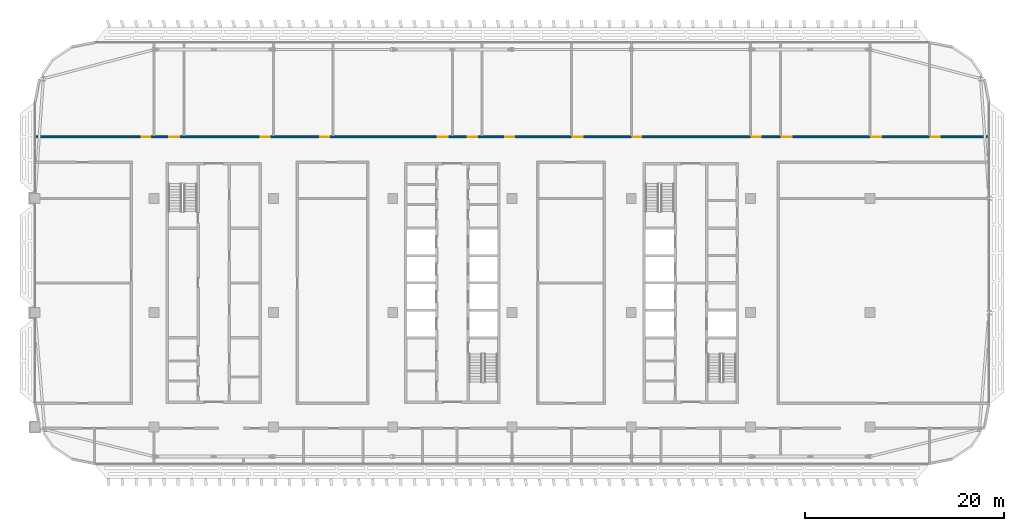
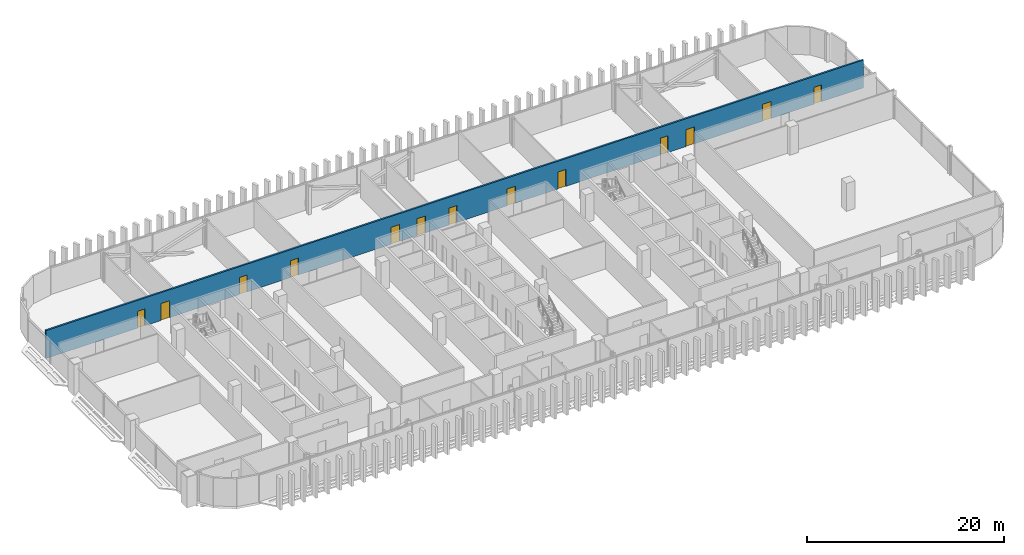
# One storey, part 20 of 34: 13 doors, 1 wall, 13 openings.
"""IFC4 building model written with IfcOpenShell, lengths in metres."""

from ifc_helpers import new_model, si_unit, direction, frame, frame_2d, origin, place, context, subcontext, project, spatial, rectangle, extrude, material, layer, layer_set, type_object, element, fill, save


model = new_model("IFC4")

# Units and contexts
model_context = context("Model", 3, precision=1e-05, world=origin(), true_north=direction((0.0, 1.0)))
body_context = subcontext(model_context, "Body", "Model", "MODEL_VIEW")
ifc_project = project(units=[si_unit("LENGTHUNIT", "METRE"), si_unit("AREAUNIT", "SQUARE_METRE"), si_unit("VOLUMEUNIT", "CUBIC_METRE"), si_unit("PLANEANGLEUNIT", "RADIAN"), si_unit("MASSUNIT", "GRAM", prefix="KILO")], contexts=[model_context])

# Site, building, storey
site_placement = place(None, origin())
site = spatial("IfcSite", under=ifc_project, at=site_placement, CompositionType="ELEMENT")
building_placement = place(site_placement, origin())
building = spatial("IfcBuilding", under=site, at=building_placement, Name="Mahtab Terrace Research Tower", CompositionType="ELEMENT")
storey_placement = place(building_placement, frame((0.0, 0.0, 247.60009765625)))
storey = spatial("IfcBuildingStorey", under=building, at=storey_placement, Name="L60", CompositionType="ELEMENT", Elevation=247.60009765625)

# Wall, openings, doors
ifc_material_1 = material(Name="Gypsum board corridor wall on steel studs", Category="steel")
ifc_layer = layer(ifc_material_1, 0.199951171875)
ifc_layer_set = layer_set([ifc_layer], Name="WALL CORRIDOR 200")
wall_type = type_object("IfcWallType", Name="WALL CORRIDOR 200", PredefinedType="PARTITIONING", material=ifc_layer_set)
wall_placement = place(storey_placement, frame((-41.97509765625, 17.699951171875, 0.0), z_axis=(0.0, 0.0, 1.0), x_axis=(1.0, 0.0, 0.0)))
wall = element("IfcWall", 1, at=wall_placement, inside=storey, type_object=wall_type, Name="L60-W025", PredefinedType="PARTITIONING", context=body_context, shape_type="SweptSolid", body=[
    extrude(rectangle(XDim=95.9501953125, YDim=0.199951171875, at=frame_2d((47.97509765625, 0.0))), origin(), (0.0, 0.0, 1.0), 3.4599609375),
])
opening_1_placement = place(wall_placement, frame((10.699951171875, 0.0, 0.0)))
opening_1 = element("IfcOpeningElement", 2, at=opening_1_placement, cuts=wall, Name="Opening L60-127", PredefinedType="OPENING", context=body_context, shape_type="SweptSolid", body=[
    extrude(rectangle(XDim=0.89990234375, YDim=2.10009765625, at=frame_2d((0.449951171875, 1.050048828125))), frame((0.0, 0.10986328125, 0.0), z_axis=(0.0, -1.0, 0.0), x_axis=(1.0, 0.0, 0.0)), (0.0, 0.0, 1.0), 0.219970703125),
])
opening_2_placement = place(wall_placement, frame((13.5, 0.0, 0.0)))
opening_2 = element("IfcOpeningElement", 3, at=opening_2_placement, cuts=wall, Name="Opening L60-128", PredefinedType="OPENING", context=body_context, shape_type="SweptSolid", body=[
    extrude(rectangle(XDim=1.0, YDim=2.10009765625, at=frame_2d((0.5, 1.050048828125))), frame((0.0, 0.10986328125, 0.0), z_axis=(0.0, -1.0, 0.0), x_axis=(1.0, 0.0, 0.0)), (0.0, 0.0, 1.0), 0.219970703125),
])
opening_3_placement = place(wall_placement, frame((22.699951171875, 0.0, 0.0)))
opening_3 = element("IfcOpeningElement", 4, at=opening_3_placement, cuts=wall, Name="Opening L60-129", PredefinedType="OPENING", context=body_context, shape_type="SweptSolid", body=[
    extrude(rectangle(XDim=0.89990234375, YDim=2.10009765625, at=frame_2d((0.449951171875, 1.050048828125))), frame((0.0, 0.10986328125, 0.0), z_axis=(0.0, -1.0, 0.0), x_axis=(1.0, 0.0, 0.0)), (0.0, 0.0, 1.0), 0.219970703125),
])
opening_4_placement = place(wall_placement, frame((28.699951171875, 0.0, 0.0)))
opening_4 = element("IfcOpeningElement", 5, at=opening_4_placement, cuts=wall, Name="Opening L60-130", PredefinedType="OPENING", context=body_context, shape_type="SweptSolid", body=[
    extrude(rectangle(XDim=0.89990234375, YDim=2.10009765625, at=frame_2d((0.449951171875, 1.050048828125))), frame((0.0, 0.10986328125, 0.0), z_axis=(0.0, -1.0, 0.0), x_axis=(1.0, 0.0, 0.0)), (0.0, 0.0, 1.0), 0.219970703125),
])
opening_5_placement = place(wall_placement, frame((40.5, 0.0, 0.0)))
opening_5 = element("IfcOpeningElement", 6, at=opening_5_placement, cuts=wall, Name="Opening L60-131", PredefinedType="OPENING", context=body_context, shape_type="SweptSolid", body=[
    extrude(rectangle(XDim=1.0, YDim=2.10009765625, at=frame_2d((0.5, 1.050048828125))), frame((0.0, 0.10986328125, 0.0), z_axis=(0.0, -1.0, 0.0), x_axis=(1.0, 0.0, 0.0)), (0.0, 0.0, 1.0), 0.219970703125),
])
opening_6_placement = place(wall_placement, frame((43.5, 0.0, 0.0)))
opening_6 = element("IfcOpeningElement", 7, at=opening_6_placement, cuts=wall, Name="Opening L60-132", PredefinedType="OPENING", context=body_context, shape_type="SweptSolid", body=[
    extrude(rectangle(XDim=1.0, YDim=2.10009765625, at=frame_2d((0.5, 1.050048828125))), frame((0.0, 0.10986328125, 0.0), z_axis=(0.0, -1.0, 0.0), x_axis=(1.0, 0.0, 0.0)), (0.0, 0.0, 1.0), 0.219970703125),
])
opening_7_placement = place(wall_placement, frame((47.300048828125, 0.0, 0.0)))
opening_7 = element("IfcOpeningElement", 8, at=opening_7_placement, cuts=wall, Name="Opening L60-133", PredefinedType="OPENING", context=body_context, shape_type="SweptSolid", body=[
    extrude(rectangle(XDim=0.89990234375, YDim=2.10009765625, at=frame_2d((0.449951171875, 1.050048828125))), frame((0.0, 0.10986328125, 0.0), z_axis=(0.0, -1.0, 0.0), x_axis=(1.0, 0.0, 0.0)), (0.0, 0.0, 1.0), 0.219970703125),
])
opening_8_placement = place(wall_placement, frame((54.10009765625, 0.0, 0.0)))
opening_8 = element("IfcOpeningElement", 9, at=opening_8_placement, cuts=wall, Name="Opening L60-134", PredefinedType="OPENING", context=body_context, shape_type="SweptSolid", body=[
    extrude(rectangle(XDim=1.0, YDim=2.10009765625, at=frame_2d((0.5, 1.050048828125))), frame((0.0, 0.10986328125, 0.0), z_axis=(0.0, -1.0, 0.0), x_axis=(1.0, 0.0, 0.0)), (0.0, 0.0, 1.0), 0.219970703125),
])
opening_9_placement = place(wall_placement, frame((60.10009765625, 0.0, 0.0)))
opening_9 = element("IfcOpeningElement", 10, at=opening_9_placement, cuts=wall, Name="Opening L60-135", PredefinedType="OPENING", context=body_context, shape_type="SweptSolid", body=[
    extrude(rectangle(XDim=0.89990234375, YDim=2.10009765625, at=frame_2d((0.449951171875, 1.050048828125))), frame((0.0, 0.10986328125, 0.0), z_axis=(0.0, -1.0, 0.0), x_axis=(1.0, 0.0, 0.0)), (0.0, 0.0, 1.0), 0.219970703125),
])
opening_10_placement = place(wall_placement, frame((72.10009765625, 0.0, 0.0)))
opening_10 = element("IfcOpeningElement", 11, at=opening_10_placement, cuts=wall, Name="Opening L60-136", PredefinedType="OPENING", context=body_context, shape_type="SweptSolid", body=[
    extrude(rectangle(XDim=0.89990234375, YDim=2.10009765625, at=frame_2d((0.449951171875, 1.050048828125))), frame((0.0, 0.10986328125, 0.0), z_axis=(0.0, -1.0, 0.0), x_axis=(1.0, 0.0, 0.0)), (0.0, 0.0, 1.0), 0.219970703125),
])
opening_11_placement = place(wall_placement, frame((75.10009765625, 0.0, 0.0)))
opening_11 = element("IfcOpeningElement", 12, at=opening_11_placement, cuts=wall, Name="Opening L60-137", PredefinedType="OPENING", context=body_context, shape_type="SweptSolid", body=[
    extrude(rectangle(XDim=1.0, YDim=2.10009765625, at=frame_2d((0.5, 1.050048828125))), frame((0.0, 0.10986328125, 0.0), z_axis=(0.0, -1.0, 0.0), x_axis=(1.0, 0.0, 0.0)), (0.0, 0.0, 1.0), 0.219970703125),
])
opening_12_placement = place(wall_placement, frame((84.10009765625, 0.0, 0.0)))
opening_12 = element("IfcOpeningElement", 13, at=opening_12_placement, cuts=wall, Name="Opening L60-138", PredefinedType="OPENING", context=body_context, shape_type="SweptSolid", body=[
    extrude(rectangle(XDim=1.0, YDim=2.10009765625, at=frame_2d((0.5, 1.050048828125))), frame((0.0, 0.10986328125, 0.0), z_axis=(0.0, -1.0, 0.0), x_axis=(1.0, 0.0, 0.0)), (0.0, 0.0, 1.0), 0.219970703125),
])
opening_13_placement = place(wall_placement, frame((90.10009765625, 0.0, 0.0)))
opening_13 = element("IfcOpeningElement", 14, at=opening_13_placement, cuts=wall, Name="Opening L60-139", PredefinedType="OPENING", context=body_context, shape_type="SweptSolid", body=[
    extrude(rectangle(XDim=0.89990234375, YDim=2.10009765625, at=frame_2d((0.449951171875, 1.050048828125))), frame((0.0, 0.10986328125, 0.0), z_axis=(0.0, -1.0, 0.0), x_axis=(1.0, 0.0, 0.0)), (0.0, 0.0, 1.0), 0.219970703125),
])
ifc_material_2 = material(Name="Timber door leaf in steel frame", Category="steel")
door_type_1 = type_object("IfcDoorType", Name="DOOR 0900X2100 FD30S", OperationType="SINGLE_SWING_LEFT", PredefinedType="DOOR", material=ifc_material_2)
door_1_placement = place(opening_1_placement, origin())
door_1 = element("IfcDoor", 15, at=door_1_placement, inside=storey, type_object=door_type_1, Name="Door L60-127", OperationType="SINGLE_SWING_LEFT", OverallHeight=2.10009765625, OverallWidth=0.89990234375, PredefinedType="DOOR", context=body_context, shape_type="SweptSolid", body=[
    extrude(rectangle(XDim=0.89990234375, YDim=2.10009765625, at=frame_2d((0.449951171875, 1.050048828125))), frame((0.0, 0.02490234375, 0.0), z_axis=(0.0, -1.0, 0.0), x_axis=(1.0, 0.0, 0.0)), (0.0, 0.0, 1.0), 0.050048828125),
])
fill(opening_1, door_1)
door_2_placement = place(opening_3_placement, origin())
door_2 = element("IfcDoor", 16, at=door_2_placement, inside=storey, type_object=door_type_1, Name="Door L60-129", OperationType="SINGLE_SWING_LEFT", OverallHeight=2.10009765625, OverallWidth=0.89990234375, PredefinedType="DOOR", context=body_context, shape_type="SweptSolid", body=[
    extrude(rectangle(XDim=0.89990234375, YDim=2.10009765625, at=frame_2d((0.449951171875, 1.050048828125))), frame((0.0, 0.02490234375, 0.0), z_axis=(0.0, -1.0, 0.0), x_axis=(1.0, 0.0, 0.0)), (0.0, 0.0, 1.0), 0.050048828125),
])
fill(opening_3, door_2)
door_3_placement = place(opening_4_placement, origin())
door_3 = element("IfcDoor", 17, at=door_3_placement, inside=storey, type_object=door_type_1, Name="Door L60-130", OperationType="SINGLE_SWING_LEFT", OverallHeight=2.10009765625, OverallWidth=0.89990234375, PredefinedType="DOOR", context=body_context, shape_type="SweptSolid", body=[
    extrude(rectangle(XDim=0.89990234375, YDim=2.10009765625, at=frame_2d((0.449951171875, 1.050048828125))), frame((0.0, 0.02490234375, 0.0), z_axis=(0.0, -1.0, 0.0), x_axis=(1.0, 0.0, 0.0)), (0.0, 0.0, 1.0), 0.050048828125),
])
fill(opening_4, door_3)
door_4_placement = place(opening_7_placement, origin())
door_4 = element("IfcDoor", 18, at=door_4_placement, inside=storey, type_object=door_type_1, Name="Door L60-133", OperationType="SINGLE_SWING_LEFT", OverallHeight=2.10009765625, OverallWidth=0.89990234375, PredefinedType="DOOR", context=body_context, shape_type="SweptSolid", body=[
    extrude(rectangle(XDim=0.89990234375, YDim=2.10009765625, at=frame_2d((0.449951171875, 1.050048828125))), frame((0.0, 0.02490234375, 0.0), z_axis=(0.0, -1.0, 0.0), x_axis=(1.0, 0.0, 0.0)), (0.0, 0.0, 1.0), 0.050048828125),
])
fill(opening_7, door_4)
door_5_placement = place(opening_9_placement, origin())
door_5 = element("IfcDoor", 19, at=door_5_placement, inside=storey, type_object=door_type_1, Name="Door L60-135", OperationType="SINGLE_SWING_RIGHT", OverallHeight=2.10009765625, OverallWidth=0.89990234375, PredefinedType="DOOR", context=body_context, shape_type="SweptSolid", body=[
    extrude(rectangle(XDim=0.89990234375, YDim=2.10009765625, at=frame_2d((0.449951171875, 1.050048828125))), frame((0.0, 0.02490234375, 0.0), z_axis=(0.0, -1.0, 0.0), x_axis=(1.0, 0.0, 0.0)), (0.0, 0.0, 1.0), 0.050048828125),
])
fill(opening_9, door_5)
door_6_placement = place(opening_10_placement, origin())
door_6 = element("IfcDoor", 20, at=door_6_placement, inside=storey, type_object=door_type_1, Name="Door L60-136", OperationType="SINGLE_SWING_RIGHT", OverallHeight=2.10009765625, OverallWidth=0.89990234375, PredefinedType="DOOR", context=body_context, shape_type="SweptSolid", body=[
    extrude(rectangle(XDim=0.89990234375, YDim=2.10009765625, at=frame_2d((0.449951171875, 1.050048828125))), frame((0.0, 0.02490234375, 0.0), z_axis=(0.0, -1.0, 0.0), x_axis=(1.0, 0.0, 0.0)), (0.0, 0.0, 1.0), 0.050048828125),
])
fill(opening_10, door_6)
door_7_placement = place(opening_13_placement, origin())
door_7 = element("IfcDoor", 21, at=door_7_placement, inside=storey, type_object=door_type_1, Name="Door L60-139", OperationType="SINGLE_SWING_RIGHT", OverallHeight=2.10009765625, OverallWidth=0.89990234375, PredefinedType="DOOR", context=body_context, shape_type="SweptSolid", body=[
    extrude(rectangle(XDim=0.89990234375, YDim=2.10009765625, at=frame_2d((0.449951171875, 1.050048828125))), frame((0.0, 0.02490234375, 0.0), z_axis=(0.0, -1.0, 0.0), x_axis=(1.0, 0.0, 0.0)), (0.0, 0.0, 1.0), 0.050048828125),
])
fill(opening_13, door_7)
door_type_2 = type_object("IfcDoorType", Name="DOOR 1000X2100 FD30S", OperationType="SINGLE_SWING_LEFT", PredefinedType="DOOR", material=ifc_material_2)
door_8_placement = place(opening_2_placement, origin())
door_8 = element("IfcDoor", 22, at=door_8_placement, inside=storey, type_object=door_type_2, Name="Door L60-128", OperationType="SINGLE_SWING_LEFT", OverallHeight=2.10009765625, OverallWidth=1.0, PredefinedType="DOOR", context=body_context, shape_type="SweptSolid", body=[
    extrude(rectangle(XDim=1.0, YDim=2.10009765625, at=frame_2d((0.5, 1.050048828125))), frame((0.0, 0.02490234375, 0.0), z_axis=(0.0, -1.0, 0.0), x_axis=(1.0, 0.0, 0.0)), (0.0, 0.0, 1.0), 0.050048828125),
])
fill(opening_2, door_8)
door_9_placement = place(opening_5_placement, origin())
door_9 = element("IfcDoor", 23, at=door_9_placement, inside=storey, type_object=door_type_2, Name="Door L60-131", OperationType="SINGLE_SWING_LEFT", OverallHeight=2.10009765625, OverallWidth=1.0, PredefinedType="DOOR", context=body_context, shape_type="SweptSolid", body=[
    extrude(rectangle(XDim=1.0, YDim=2.10009765625, at=frame_2d((0.5, 1.050048828125))), frame((0.0, 0.02490234375, 0.0), z_axis=(0.0, -1.0, 0.0), x_axis=(1.0, 0.0, 0.0)), (0.0, 0.0, 1.0), 0.050048828125),
])
fill(opening_5, door_9)
door_10_placement = place(opening_6_placement, origin())
door_10 = element("IfcDoor", 24, at=door_10_placement, inside=storey, type_object=door_type_2, Name="Door L60-132", OperationType="SINGLE_SWING_LEFT", OverallHeight=2.10009765625, OverallWidth=1.0, PredefinedType="DOOR", context=body_context, shape_type="SweptSolid", body=[
    extrude(rectangle(XDim=1.0, YDim=2.10009765625, at=frame_2d((0.5, 1.050048828125))), frame((0.0, 0.02490234375, 0.0), z_axis=(0.0, -1.0, 0.0), x_axis=(1.0, 0.0, 0.0)), (0.0, 0.0, 1.0), 0.050048828125),
])
fill(opening_6, door_10)
door_11_placement = place(opening_8_placement, origin())
door_11 = element("IfcDoor", 25, at=door_11_placement, inside=storey, type_object=door_type_2, Name="Door L60-134", OperationType="SINGLE_SWING_RIGHT", OverallHeight=2.10009765625, OverallWidth=1.0, PredefinedType="DOOR", context=body_context, shape_type="SweptSolid", body=[
    extrude(rectangle(XDim=1.0, YDim=2.10009765625, at=frame_2d((0.5, 1.050048828125))), frame((0.0, 0.02490234375, 0.0), z_axis=(0.0, -1.0, 0.0), x_axis=(1.0, 0.0, 0.0)), (0.0, 0.0, 1.0), 0.050048828125),
])
fill(opening_8, door_11)
door_12_placement = place(opening_11_placement, origin())
door_12 = element("IfcDoor", 26, at=door_12_placement, inside=storey, type_object=door_type_2, Name="Door L60-137", OperationType="SINGLE_SWING_RIGHT", OverallHeight=2.10009765625, OverallWidth=1.0, PredefinedType="DOOR", context=body_context, shape_type="SweptSolid", body=[
    extrude(rectangle(XDim=1.0, YDim=2.10009765625, at=frame_2d((0.5, 1.050048828125))), frame((0.0, 0.02490234375, 0.0), z_axis=(0.0, -1.0, 0.0), x_axis=(1.0, 0.0, 0.0)), (0.0, 0.0, 1.0), 0.050048828125),
])
fill(opening_11, door_12)
door_13_placement = place(opening_12_placement, origin())
door_13 = element("IfcDoor", 27, at=door_13_placement, inside=storey, type_object=door_type_2, Name="Door L60-138", OperationType="SINGLE_SWING_RIGHT", OverallHeight=2.10009765625, OverallWidth=1.0, PredefinedType="DOOR", context=body_context, shape_type="SweptSolid", body=[
    extrude(rectangle(XDim=1.0, YDim=2.10009765625, at=frame_2d((0.5, 1.050048828125))), frame((0.0, 0.02490234375, 0.0), z_axis=(0.0, -1.0, 0.0), x_axis=(1.0, 0.0, 0.0)), (0.0, 0.0, 1.0), 0.050048828125),
])
fill(opening_12, door_13)

save(model, "model.ifc")
